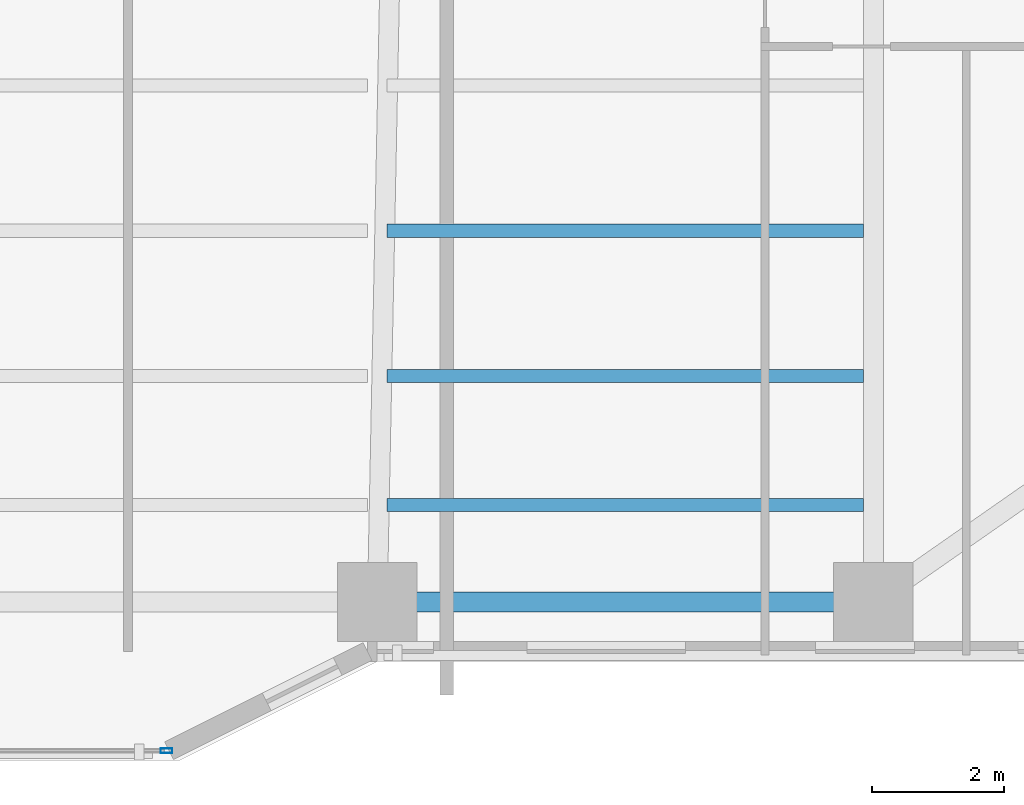
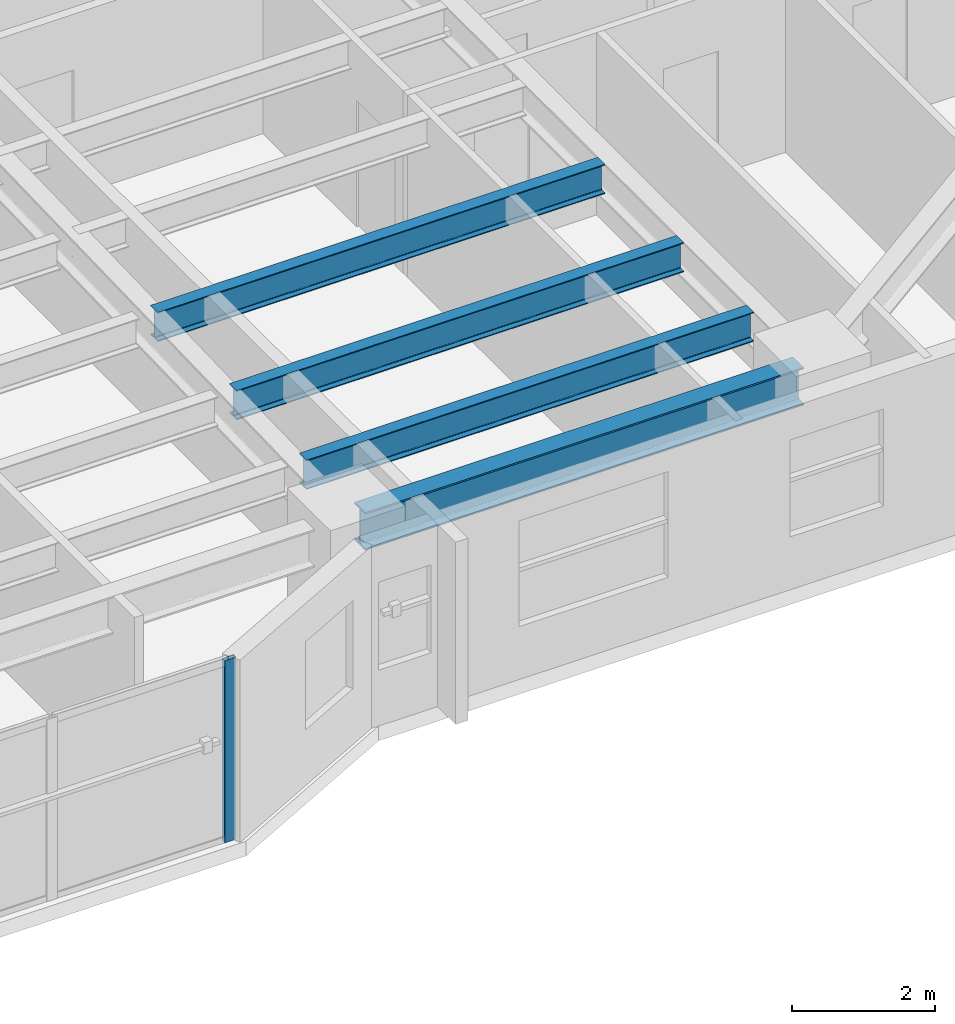
# One storey, part 4 of 20: 4 beams, 1 member, 1 element without a shape of its own.
"""IFC4 building model written with IfcOpenShell, lengths in metres."""

from ifc_helpers import new_model, si_unit, direction, frame, origin, origin_2d, place, context, subcontext, project, spatial, hollow_rectangle, i_section, extrude, material, layer, layer_set, material_profile, profile_set, type_object, element, aggregate, save


model = new_model("IFC4")

# Units and contexts
model_context = context("Model", 3, precision=1e-05, world=origin(), true_north=direction((0.0, 1.0)))
body_context = subcontext(model_context, "Body", "Model", "MODEL_VIEW")
ifc_project = project(units=[si_unit("LENGTHUNIT", "METRE"), si_unit("AREAUNIT", "SQUARE_METRE"), si_unit("VOLUMEUNIT", "CUBIC_METRE"), si_unit("PLANEANGLEUNIT", "RADIAN"), si_unit("MASSUNIT", "GRAM", prefix="KILO")], contexts=[model_context])

# Site, building, storey
site_placement = place(None, origin())
site = spatial("IfcSite", under=ifc_project, at=site_placement, CompositionType="ELEMENT")
building_placement = place(site_placement, origin())
building = spatial("IfcBuilding", under=site, at=building_placement, Name="Tarnavaz Court Tower", CompositionType="ELEMENT")
storey_placement = place(building_placement, frame((0.0, 0.0, 34.050048828125)))
storey = spatial("IfcBuildingStorey", under=building, at=storey_placement, Name="L08", CompositionType="ELEMENT", Elevation=34.050048828125)

# Beams
ifc_material_1 = material(Name="Steel S355", Category="steel")
ifc_material_profile_1 = material_profile(ifc_material_1, i_section(OverallWidth=0.199951171875, OverallDepth=0.5, WebThickness=0.01025390625, FlangeThickness=0.01611328125, FilletRadius=0.02099609375, at=origin_2d()), Name="IPE 500")
ifc_profile_set_1 = profile_set([ifc_material_profile_1], Name="Steel S355")
beam_type_1 = type_object("IfcBeamType", Name="BM-J-IPE500", PredefinedType="JOIST", material=ifc_profile_set_1)
for number, where, z_axis, x_axis, name in (
    (1, (7.64990234375, -17.18798828125, 2.849853515625), (1.0, 0.0, 0.0), (0.0, 1.0, 0.0), "L08 Beam JS3-3"),
    (2, (7.64990234375, -19.384033203125, 2.849853515625), (1.0, 0.0, 0.0), (0.0, 1.0, 0.0), "L08 Beam JS4-3"),
    (3, (7.64990234375, -21.3359375, 2.849853515625), (1.0, 0.0, 0.0), (0.0, 1.0, 0.0), "L08 Beam JS5-3"),
):
    element("IfcBeam", number, at=place(storey_placement, frame(where, z_axis=z_axis, x_axis=x_axis)), inside=storey, type_object=beam_type_1, Name=name, PredefinedType="JOIST", context=body_context, shape_type="SweptSolid", body=[
        extrude(i_section(OverallWidth=0.199951171875, OverallDepth=0.5, WebThickness=0.01025390625, FlangeThickness=0.01611328125, FilletRadius=0.02099609375, at=origin_2d()), origin(), (0.0, 0.0, 1.0), 7.2001953125),
    ])
ifc_material_profile_2 = material_profile(ifc_material_1, i_section(OverallWidth=0.300048828125, OverallDepth=0.639892578125, WebThickness=0.013427734375, FlangeThickness=0.02587890625, FilletRadius=0.027099609375, at=origin_2d()), Name="HEA 650")
ifc_profile_set_2 = profile_set([ifc_material_profile_2], Name="Steel S355")
beam_type_2 = type_object("IfcBeamType", Name="BM-SP-HEA650", PredefinedType="SPANDREL", material=ifc_profile_set_2)
beam_placement = place(storey_placement, frame((7.719970703125, -22.800048828125, 2.780029296875), z_axis=(1.0, 0.0, 0.0), x_axis=(0.0, 1.0, 0.0)))
element("IfcBeam", 4, at=beam_placement, inside=storey, type_object=beam_type_2, Name="L08 Beam PR-PS-3-PS-4", PredefinedType="SPANDREL", context=body_context, shape_type="SweptSolid", body=[
    extrude(i_section(OverallWidth=0.300048828125, OverallDepth=0.639892578125, WebThickness=0.013427734375, FlangeThickness=0.02587890625, FilletRadius=0.027099609375, at=origin_2d()), origin(), (0.0, 0.0, 1.0), 7.06005859375),
])

# Curtain wall, member
ifc_material_2 = material(Name="Anodised Aluminium 6063-T6 and Solar Low-E Glazing", Category="aluminium")
ifc_layer = layer(ifc_material_2, 0.179931640625)
ifc_layer_set = layer_set([ifc_layer], Name="Anodised Aluminium 6063-T6 and Solar Low-E Glazing")
curtain_wall_type = type_object("IfcCurtainWallType", Name="CW-SYS-02", PredefinedType="NOTDEFINED", material=ifc_layer_set)
curtain_wall_placement = place(storey_placement, origin())
curtain_wall = element("IfcCurtainWall", 5, at=curtain_wall_placement, inside=storey, type_object=curtain_wall_type, Name="L08 Iwan Prow Curtain Wall 17", PredefinedType="NOTDEFINED")
ifc_material_3 = material(Name="Anodised Aluminium 6063-T6", Category="aluminium")
ifc_material_profile_3 = material_profile(ifc_material_3, hollow_rectangle(XDim=0.074951171875, YDim=0.179931640625, WallThickness=0.0048828125, InnerFilletRadius=0.0048828125, OuterFilletRadius=0.010009765625, at=origin_2d()), Name="ALU RHS 180X75X5")
ifc_profile_set_3 = profile_set([ifc_material_profile_3], Name="Anodised Aluminium 6063-T6")
member_type = type_object("IfcMemberType", Name="CW-MUL-180", PredefinedType="MULLION", material=ifc_profile_set_3)
member_placement = place(storey_placement, frame((4.3125, -25.050048828125, 0.0), z_axis=(0.0, 0.0, 1.0), x_axis=(0.0, -1.0, 0.0)))
member = element("IfcMember", 6, at=member_placement, type_object=member_type, Name="CW mullion 1", PredefinedType="MULLION", context=body_context, shape_type="SweptSolid", body=[
    extrude(hollow_rectangle(XDim=0.074951171875, YDim=0.179931640625, WallThickness=0.0048828125, InnerFilletRadius=0.0048828125, OuterFilletRadius=0.010009765625, at=origin_2d()), origin(), (0.0, 0.0, 1.0), 3.099853515625),
])
aggregate(curtain_wall, [member])

save(model, "model.ifc")
